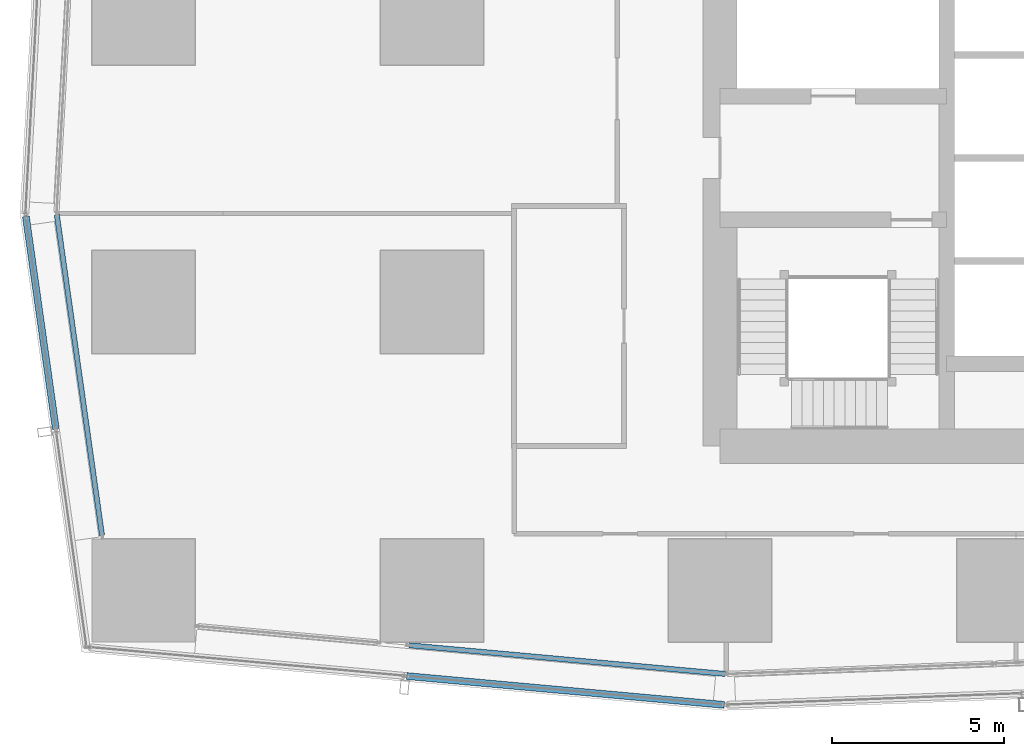
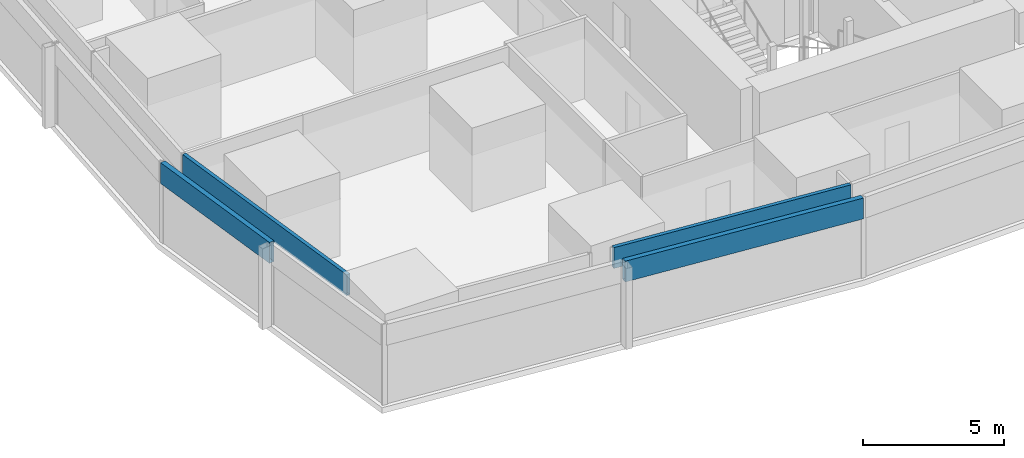
# One storey, part 3 of 39: 4 members, 4 elements without a shape of their own.
"""IFC4 building model written with IfcOpenShell, lengths in metres."""

from ifc_helpers import new_model, si_unit, direction, frame, origin, origin_2d, place, context, subcontext, project, spatial, hollow_rectangle, extrude, material, material_profile, profile_set, type_object, element, aggregate, save


model = new_model("IFC4")

# Units and contexts
model_context = context("Model", 3, precision=1e-05, world=origin(), true_north=direction((0.0, 1.0)))
body_context = subcontext(model_context, "Body", "Model", "MODEL_VIEW")
ifc_project = project(units=[si_unit("LENGTHUNIT", "METRE"), si_unit("AREAUNIT", "SQUARE_METRE"), si_unit("VOLUMEUNIT", "CUBIC_METRE"), si_unit("PLANEANGLEUNIT", "RADIAN"), si_unit("MASSUNIT", "GRAM", prefix="KILO")], contexts=[model_context])

# Site, building, storey
site_placement = place(None, origin())
site = spatial("IfcSite", under=ifc_project, at=site_placement, CompositionType="ELEMENT")
building_placement = place(site_placement, origin())
building = spatial("IfcBuilding", under=site, at=building_placement, Name="Rekha Terrace Tower", CompositionType="ELEMENT")
storey_placement = place(building_placement, frame((0.0, 0.0, 155.300048828125)))
storey = spatial("IfcBuildingStorey", under=building, at=storey_placement, Name="L39", CompositionType="ELEMENT", Elevation=155.300048828125)

# Curtain wall, member
ifc_material_1 = material(Name="Aluminium framing", Category="aluminium")
curtain_wall_type_1 = type_object("IfcCurtainWallType", Name="CW1 double skin inner glazing", PredefinedType="USERDEFINED", material=ifc_material_1)
curtain_wall_1_placement = place(storey_placement, origin())
curtain_wall_1 = element("IfcCurtainWall", 1, at=curtain_wall_1_placement, inside=storey, type_object=curtain_wall_type_1, Name="CW1 double skin inner glazing", ObjectType="DOUBLE SKIN INNER GLAZING", PredefinedType="USERDEFINED")
ifc_material_2 = material(Name="Insulated aluminium spandrel box", Category="aluminium")
ifc_material_profile_1 = material_profile(ifc_material_2, hollow_rectangle(XDim=0.14990234375, YDim=0.89990234375, WallThickness=0.0029296875, at=origin_2d()), Name="AL SPANDREL BOX 150x900")
ifc_profile_set_1 = profile_set([ifc_material_profile_1], Name="Insulated aluminium spandrel box")
member_type_1 = type_object("IfcMemberType", Name="CW1 spandrel transom 150 x 900", PredefinedType="USERDEFINED", material=ifc_profile_set_1)
member_1_placement = place(storey_placement, frame((16.1435546875, 15.19775390625, 3.050048828125), z_axis=(0.995900781674, -0.090452380075, 0.0), x_axis=(0.090452380075, 0.995900781674, 0.0)))
member_1 = element("IfcMember", 2, at=member_1_placement, type_object=member_type_1, Name="CW1 spandrel transom 1", ObjectType="TRANSOM", PredefinedType="USERDEFINED", context=body_context, shape_type="SweptSolid", body=[
    extrude(hollow_rectangle(XDim=0.14990234375, YDim=0.89990234375, WallThickness=0.0029296875, at=origin_2d()), origin(), (0.0, 0.0, 1.0), 9.24169921875),
])
aggregate(curtain_wall_1, [member_1])

curtain_wall_2_placement = place(storey_placement, origin())
curtain_wall_2 = element("IfcCurtainWall", 3, at=curtain_wall_2_placement, inside=storey, type_object=curtain_wall_type_1, Name="CW1 double skin inner glazing", ObjectType="DOUBLE SKIN INNER GLAZING", PredefinedType="USERDEFINED")
member_2_placement = place(storey_placement, frame((5.873046875, 27.7490234375, 3.050048828125), z_axis=(0.139597048071, -0.990208394314, 0.0), x_axis=(0.990208394314, 0.139597048071, 0.0)))
member_2 = element("IfcMember", 4, at=member_2_placement, type_object=member_type_1, Name="CW1 spandrel transom 1", ObjectType="TRANSOM", PredefinedType="USERDEFINED", context=body_context, shape_type="SweptSolid", body=[
    extrude(hollow_rectangle(XDim=0.14990234375, YDim=0.89990234375, WallThickness=0.0029296875, at=origin_2d()), origin(), (0.0, 0.0, 1.0), 9.444091796875),
])
aggregate(curtain_wall_2, [member_2])

curtain_wall_type_2 = type_object("IfcCurtainWallType", Name="CW2 double skin outer glazing", PredefinedType="USERDEFINED", material=ifc_material_1)
curtain_wall_3_placement = place(storey_placement, origin())
curtain_wall_3 = element("IfcCurtainWall", 5, at=curtain_wall_3_placement, inside=storey, type_object=curtain_wall_type_2, Name="CW2 double skin outer glazing", ObjectType="DOUBLE SKIN OUTER GLAZING", PredefinedType="USERDEFINED")
ifc_material_profile_2 = material_profile(ifc_material_2, hollow_rectangle(XDim=0.199951171875, YDim=0.89990234375, WallThickness=0.0029296875, at=origin_2d()), Name="AL SPANDREL BOX 200x900")
ifc_profile_set_2 = profile_set([ifc_material_profile_2], Name="Insulated aluminium spandrel box")
member_type_2 = type_object("IfcMemberType", Name="CW2 spandrel transom 200 x 900", PredefinedType="USERDEFINED", material=ifc_profile_set_2)
member_3_placement = place(storey_placement, frame((16.072265625, 14.300537109375, 3.050048828125), z_axis=(0.995900527097, -0.090455182982, 0.0), x_axis=(0.090455182982, 0.995900527097, 0.0)))
member_3 = element("IfcMember", 6, at=member_3_placement, type_object=member_type_2, Name="CW2 spandrel transom 2", ObjectType="TRANSOM", PredefinedType="USERDEFINED", context=body_context, shape_type="SweptSolid", body=[
    extrude(hollow_rectangle(XDim=0.199951171875, YDim=0.89990234375, WallThickness=0.0029296875, at=origin_2d()), origin(), (0.0, 0.0, 1.0), 9.2900390625),
])
aggregate(curtain_wall_3, [member_3])

curtain_wall_4_placement = place(storey_placement, origin())
curtain_wall_4 = element("IfcCurtainWall", 7, at=curtain_wall_4_placement, inside=storey, type_object=curtain_wall_type_2, Name="CW2 double skin outer glazing", ObjectType="DOUBLE SKIN OUTER GLAZING", PredefinedType="USERDEFINED")
member_4_placement = place(storey_placement, frame((4.9716796875, 27.695556640625, 3.050048828125), z_axis=(0.139596256865, -0.990208505856, 0.0), x_axis=(0.990208505856, 0.139596256865, 0.0)))
member_4 = element("IfcMember", 8, at=member_4_placement, type_object=member_type_2, Name="CW2 spandrel transom 1", ObjectType="TRANSOM", PredefinedType="USERDEFINED", context=body_context, shape_type="SweptSolid", body=[
    extrude(hollow_rectangle(XDim=0.199951171875, YDim=0.89990234375, WallThickness=0.0029296875, at=origin_2d()), origin(), (0.0, 0.0, 1.0), 6.255859375),
])
aggregate(curtain_wall_4, [member_4])

save(model, "model.ifc")
